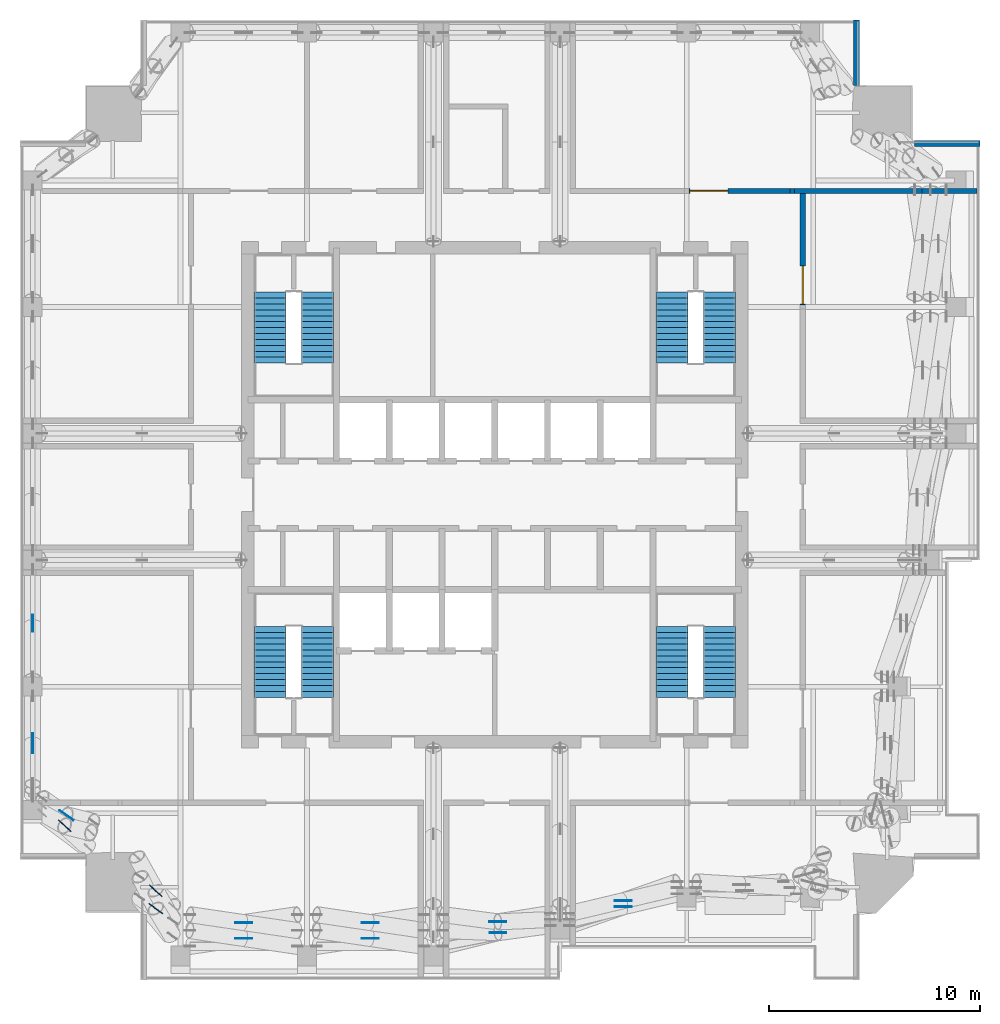
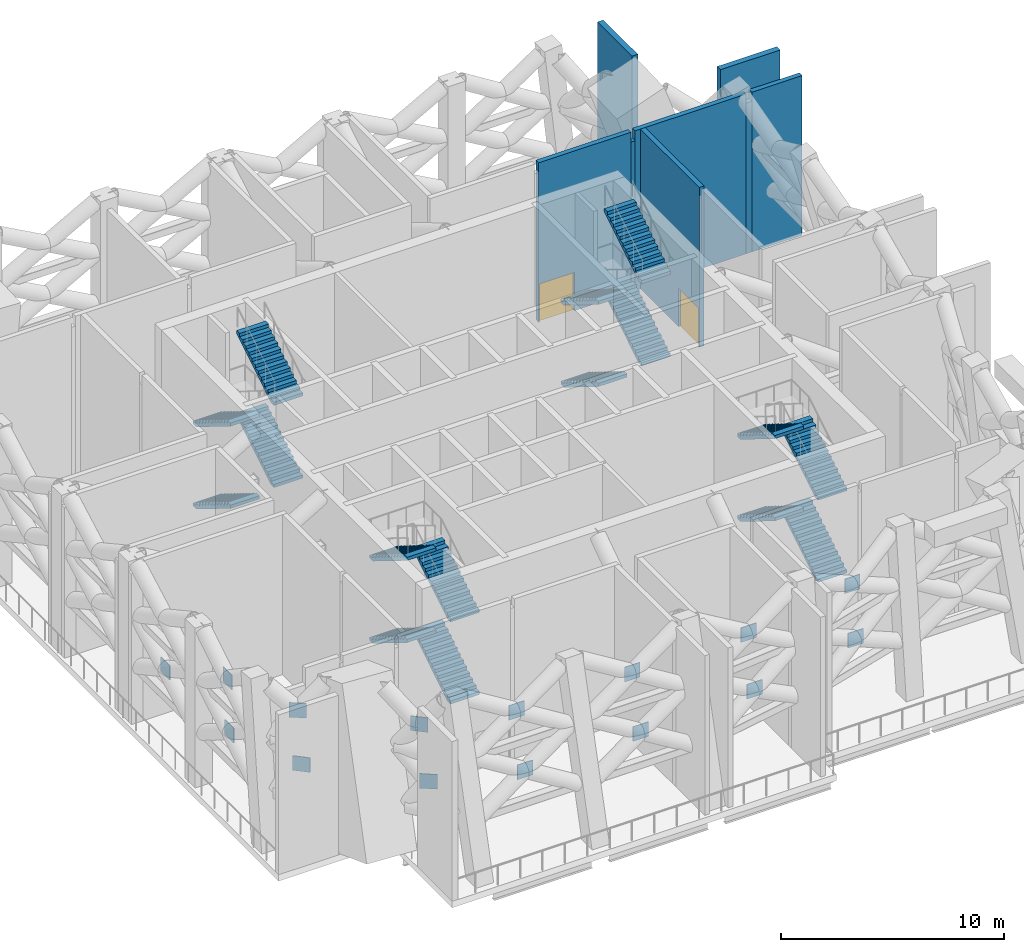
# One storey, part 10 of 18: 16 stair flights, 15 discrete accessories, 8 walls, 2 doors, 2 openings, 4 elements without a shape of their own.
"""IFC4 building model written with IfcOpenShell, lengths in metres."""

from ifc_helpers import new_model, si_unit, direction, frame, frame_2d, origin, origin_2d, place, context, subcontext, project, spatial, polyline, rectangle, outline, extrude, material, layer, layer_set, type_object, element, fill, aggregate, save


model = new_model("IFC4")

# Units and contexts
model_context = context("Model", 3, precision=1e-05, world=origin(), true_north=direction((0.0, 1.0)))
body_context = subcontext(model_context, "Body", "Model", "MODEL_VIEW")
ifc_project = project(units=[si_unit("LENGTHUNIT", "METRE"), si_unit("AREAUNIT", "SQUARE_METRE"), si_unit("VOLUMEUNIT", "CUBIC_METRE"), si_unit("PLANEANGLEUNIT", "RADIAN"), si_unit("MASSUNIT", "GRAM", prefix="KILO")], contexts=[model_context])

# Site, building, storey
site_placement = place(None, origin())
site = spatial("IfcSite", under=ifc_project, at=site_placement, CompositionType="ELEMENT")
building_placement = place(site_placement, origin())
building = spatial("IfcBuilding", under=site, at=building_placement, Name="Amberfall Residences", CompositionType="ELEMENT")
storey_placement = place(building_placement, frame((0.0, 0.0, 229.89990234375)))
storey = spatial("IfcBuildingStorey", under=building, at=storey_placement, Name="L62", CompositionType="ELEMENT", Elevation=229.89990234375)

# Wall, opening, door
ifc_material_1 = material(Name="Reinforced concrete C40", Category="concrete")
ifc_layer_1 = layer(ifc_material_1, 0.25)
ifc_layer_set_1 = layer_set([ifc_layer_1], Name="Compartment wall 250")
wall_type_1 = type_object("IfcWallType", Name="Compartment wall 250", PredefinedType="SOLIDWALL", material=ifc_layer_set_1)
wall_1_placement = place(storey_placement, frame((83.70458984375, 59.89990234375, 0.0), z_axis=(0.0, 0.0, 1.0), x_axis=(1.0, 0.0, 0.0)))
wall_1 = element("IfcWall", 1, at=wall_1_placement, inside=storey, type_object=wall_type_1, Name="Compartment wall 250 L62 045", PredefinedType="SOLIDWALL", context=body_context, shape_type="SweptSolid", body=[
    extrude(rectangle(XDim=4.7900390625, YDim=0.25, at=frame_2d((2.39501953125, 0.0))), origin(), (0.0, 0.0, 1.0), 8.75),
])
opening_1_placement = place(wall_1_placement, frame((0.04541015625, 0.0, 0.0)))
opening_1 = element("IfcOpeningElement", 2, at=opening_1_placement, cuts=wall_1, Name="Opening D13", PredefinedType="OPENING", context=body_context, shape_type="SweptSolid", body=[
    extrude(rectangle(XDim=1.800048828125, YDim=2.10009765625, at=frame_2d((0.89990234375, 1.050048828125))), frame((0.0, 0.135009765625, 0.0), z_axis=(0.0, -1.0, 0.0), x_axis=(1.0, 0.0, 0.0)), (0.0, 0.0, 1.0), 0.27001953125),
])
ifc_material_2 = material(Name="Steel fire door leaf", Category="steel")
door_type = type_object("IfcDoorType", Name="Double fire door 1800x2100 FD60", OperationType="DOUBLE_DOOR_SINGLE_SWING", PredefinedType="DOOR", material=ifc_material_2)
door_1_placement = place(opening_1_placement, origin())
door_1 = element("IfcDoor", 3, at=door_1_placement, inside=storey, type_object=door_type, Name="Door Refuge area 7", OperationType="DOUBLE_DOOR_SINGLE_SWING", OverallHeight=2.10009765625, OverallWidth=1.800048828125, PredefinedType="DOOR", context=body_context, shape_type="SweptSolid", body=[
    extrude(rectangle(XDim=1.800048828125, YDim=2.10009765625, at=frame_2d((0.89990234375, 1.050048828125))), frame((0.0, 0.02490234375, 0.0), z_axis=(0.0, -1.0, 0.0), x_axis=(1.0, 0.0, 0.0)), (0.0, 0.0, 1.0), 0.050048828125),
])
fill(opening_1, door_1)

# Walls
wall_2_placement = place(storey_placement, frame((88.49462890625, 59.89990234375, 0.0), z_axis=(0.0, 0.0, 1.0), x_axis=(1.0, 0.0, 0.0)))
element("IfcWall", 4, at=wall_2_placement, inside=storey, type_object=wall_type_1, Name="Compartment wall 250 L62 046", PredefinedType="SOLIDWALL", context=body_context, shape_type="SweptSolid", body=[
    extrude(rectangle(XDim=0.210693359375, YDim=0.25, at=frame_2d((0.10546875, 0.0))), origin(), (0.0, 0.0, 1.0), 8.211181640625),
])
wall_3_placement = place(storey_placement, frame((88.705322265625, 59.89990234375, 0.0), z_axis=(0.0, 0.0, 1.0), x_axis=(1.0, 0.0, 0.0)))
element("IfcWall", 5, at=wall_3_placement, inside=storey, type_object=wall_type_1, Name="Compartment wall 250 L62 047", PredefinedType="SOLIDWALL", context=body_context, shape_type="SweptSolid", body=[
    extrude(rectangle(XDim=5.74462890625, YDim=0.25, at=frame_2d((2.872314453125, 0.0))), origin(), (0.0, 0.0, 1.0), 8.75),
])
wall_4_placement = place(storey_placement, frame((94.449951171875, 59.89990234375, 0.0), z_axis=(0.0, 0.0, 1.0), x_axis=(1.0, 0.0, 0.0)))
element("IfcWall", 6, at=wall_4_placement, inside=storey, type_object=wall_type_1, Name="Compartment wall 250 L62 048", PredefinedType="SOLIDWALL", context=body_context, shape_type="SweptSolid", body=[
    extrude(rectangle(XDim=0.300048828125, YDim=0.25, at=frame_2d((0.14990234375, 0.0))), origin(), (0.0, 0.0, 1.0), 8.25),
])
wall_5_placement = place(storey_placement, frame((94.75, 59.89990234375, 0.0), z_axis=(0.0, 0.0, 1.0), x_axis=(1.0, 0.0, 0.0)))
element("IfcWall", 7, at=wall_5_placement, inside=storey, type_object=wall_type_1, Name="Compartment wall 250 L62 049", PredefinedType="SOLIDWALL", context=body_context, shape_type="SweptSolid", body=[
    extrude(rectangle(XDim=2.60009765625, YDim=0.25, at=frame_2d((1.300048828125, 0.0))), origin(), (0.0, 0.0, 1.0), 8.75),
])

# Wall, opening, door
wall_6_placement = place(storey_placement, frame((89.10009765625, 54.49560546875, 0.0), z_axis=(0.0, 0.0, 1.0), x_axis=(0.0, 1.0, 0.0)))
wall_6 = element("IfcWall", 8, at=wall_6_placement, inside=storey, type_object=wall_type_1, Name="Compartment wall 250 L62 087", PredefinedType="SOLIDWALL", context=body_context, shape_type="SweptSolid", body=[
    extrude(rectangle(XDim=5.279296875, YDim=0.25, at=frame_2d((2.6396484375, 0.0))), origin(), (0.0, 0.0, 1.0), 8.75),
])
opening_2_placement = place(wall_6_placement, frame((0.054443359375, 0.0, 0.0)))
opening_2 = element("IfcOpeningElement", 9, at=opening_2_placement, cuts=wall_6, Name="Opening D13", PredefinedType="OPENING", context=body_context, shape_type="SweptSolid", body=[
    extrude(rectangle(XDim=1.800048828125, YDim=2.10009765625, at=frame_2d((0.89990234375, 1.050048828125))), frame((0.0, 0.135009765625, 0.0), z_axis=(0.0, -1.0, 0.0), x_axis=(1.0, 0.0, 0.0)), (0.0, 0.0, 1.0), 0.27001953125),
])
door_2_placement = place(opening_2_placement, origin())
door_2 = element("IfcDoor", 10, at=door_2_placement, inside=storey, type_object=door_type, Name="Door Refuge area 13", OperationType="DOUBLE_DOOR_SINGLE_SWING", OverallHeight=2.10009765625, OverallWidth=1.800048828125, PredefinedType="DOOR", context=body_context, shape_type="SweptSolid", body=[
    extrude(rectangle(XDim=1.800048828125, YDim=2.10009765625, at=frame_2d((0.89990234375, 1.050048828125))), frame((0.0, 0.02490234375, 0.0), z_axis=(0.0, -1.0, 0.0), x_axis=(1.0, 0.0, 0.0)), (0.0, 0.0, 1.0), 0.050048828125),
])
fill(opening_2, door_2)

# Walls
ifc_material_3 = material(Name="Bronze aluminium louvre cladding on insulated backing", Category="aluminium")
ifc_layer_2 = layer(ifc_material_3, 0.300048828125)
ifc_layer_set_2 = layer_set([ifc_layer_2], Name="Louvre clad wall 300")
wall_type_2 = type_object("IfcWallType", Name="Louvre clad wall 300", PredefinedType="SOLIDWALL", material=ifc_layer_set_2)
for number, where, z_axis, x_axis, name in (
    (11, (97.5, 62.14990234375, 0.0), (0.0, 0.0, 1.0), (-1.0, 0.0, 0.0), "External wall L62 NE"),
    (12, (91.64990234375, 64.89990234375, 0.0), (0.0, 0.0, 1.0), (0.0, 1.0, 0.0), "External wall L62 NE"),
):
    element("IfcWall", number, at=place(storey_placement, frame(where, z_axis=z_axis, x_axis=x_axis)), inside=storey, type_object=wall_type_2, Name=name, PredefinedType="SOLIDWALL", context=body_context, shape_type="SweptSolid", body=[
        extrude(rectangle(XDim=3.10009765625, YDim=0.300048828125, at=frame_2d((1.550048828125, 0.0))), origin(), (0.0, 0.0, 1.0), 8.75),
    ])

# Stair, stair flights
ifc_material_4 = material(Name="Concrete C40", Category="concrete")
stair_type = type_object("IfcStairType", Name="Exit stair 52 risers 173.1 mm", PredefinedType="HALF_TURN_STAIR", material=ifc_material_4)
stair_1_placement = place(storey_placement, origin())
stair_1 = element("IfcStair", 13, at=stair_1_placement, inside=storey, type_object=stair_type, Name="L62 Exit stair 1", PredefinedType="HALF_TURN_STAIR")
stair_flight_type = type_object("IfcStairFlightType", Name="Stair flight 13 risers 173.1 mm", PredefinedType="STRAIGHT", material=ifc_material_4)
stair_flight_1_placement = place(storey_placement, frame((66.10009765625, 35.89990234375, 0.0), z_axis=(0.0, 0.0, 1.0), x_axis=(0.0, 1.0, 0.0)))
stair_flight_1 = element("IfcStairFlight", 14, at=stair_flight_1_placement, type_object=stair_flight_type, Name="ST4 flight 1", NumberOfRisers=13, NumberOfTreads=12, PredefinedType="STRAIGHT", RiserHeight=0.173076923, TreadLength=0.28, context=body_context, shape_type="SweptSolid", body=[
    extrude(outline(polyline([(0.0, 0.0), (0.0, 0.173095703125), (0.280029296875, 0.173095703125), (0.280029296875, 0.34619140625), (0.56005859375, 0.34619140625), (0.56005859375, 0.519287109375), (0.840087890625, 0.519287109375), (0.840087890625, 0.6923828125), (1.1201171875, 0.6923828125), (1.1201171875, 0.865478515625), (1.39990234375, 0.865478515625), (1.39990234375, 1.03857421875), (1.679931640625, 1.03857421875), (1.679931640625, 1.21142578125), (1.9599609375, 1.21142578125), (1.9599609375, 1.384521484375), (2.239990234375, 1.384521484375), (2.239990234375, 1.5576171875), (2.52001953125, 1.5576171875), (2.52001953125, 1.730712890625), (2.800048828125, 1.730712890625), (2.800048828125, 1.90380859375), (3.080078125, 1.90380859375), (3.080078125, 2.076904296875), (3.360107421875, 2.076904296875), (3.360107421875, 2.25), (3.360107421875, 1.900634765625), (0.28515625, 0.0), (0.0, 0.0)])), frame((0.0, 0.75, 0.0), z_axis=(0.0, -1.0, 0.0), x_axis=(1.0, 0.0, 0.0)), (0.0, 0.0, 1.0), 1.5),
])
stair_flight_2_placement = place(storey_placement, frame((63.85009765625, 39.260009765625, 2.25), z_axis=(0.0, 0.0, 1.0), x_axis=(0.0, -1.0, 0.0)))
stair_flight_2 = element("IfcStairFlight", 15, at=stair_flight_2_placement, type_object=stair_flight_type, Name="ST4 flight 2", NumberOfRisers=13, NumberOfTreads=12, PredefinedType="STRAIGHT", RiserHeight=0.173076923, TreadLength=0.28, context=body_context, shape_type="SweptSolid", body=[
    extrude(outline(polyline([(0.0, 0.0), (0.0, 0.173095703125), (0.280029296875, 0.173095703125), (0.280029296875, 0.34619140625), (0.56005859375, 0.34619140625), (0.56005859375, 0.519287109375), (0.840087890625, 0.519287109375), (0.840087890625, 0.6923828125), (1.1201171875, 0.6923828125), (1.1201171875, 0.865478515625), (1.39990234375, 0.865478515625), (1.39990234375, 1.03857421875), (1.679931640625, 1.03857421875), (1.679931640625, 1.21142578125), (1.9599609375, 1.21142578125), (1.9599609375, 1.384521484375), (2.239990234375, 1.384521484375), (2.239990234375, 1.5576171875), (2.52001953125, 1.5576171875), (2.52001953125, 1.730712890625), (2.800048828125, 1.730712890625), (2.800048828125, 1.90380859375), (3.080078125, 1.90380859375), (3.080078125, 2.076904296875), (3.360107421875, 2.076904296875), (3.360107421875, 2.25), (3.360107421875, 1.900634765625), (0.28515625, 0.0), (0.0, 0.0)])), frame((0.0, 0.75, 0.0), z_axis=(0.0, -1.0, 0.0), x_axis=(1.0, 0.0, 0.0)), (0.0, 0.0, 1.0), 1.5),
])
stair_flight_3_placement = place(storey_placement, frame((66.10009765625, 35.89990234375, 4.5), z_axis=(0.0, 0.0, 1.0), x_axis=(0.0, 1.0, 0.0)))
stair_flight_3 = element("IfcStairFlight", 16, at=stair_flight_3_placement, type_object=stair_flight_type, Name="ST4 flight 3", NumberOfRisers=13, NumberOfTreads=12, PredefinedType="STRAIGHT", RiserHeight=0.173076923, TreadLength=0.28, context=body_context, shape_type="SweptSolid", body=[
    extrude(outline(polyline([(0.0, 0.0), (0.0, 0.173095703125), (0.280029296875, 0.173095703125), (0.280029296875, 0.34619140625), (0.56005859375, 0.34619140625), (0.56005859375, 0.519287109375), (0.840087890625, 0.519287109375), (0.840087890625, 0.6923828125), (1.1201171875, 0.6923828125), (1.1201171875, 0.865478515625), (1.39990234375, 0.865478515625), (1.39990234375, 1.03857421875), (1.679931640625, 1.03857421875), (1.679931640625, 1.21142578125), (1.9599609375, 1.21142578125), (1.9599609375, 1.384521484375), (2.239990234375, 1.384521484375), (2.239990234375, 1.5576171875), (2.52001953125, 1.5576171875), (2.52001953125, 1.730712890625), (2.800048828125, 1.730712890625), (2.800048828125, 1.90380859375), (3.080078125, 1.90380859375), (3.080078125, 2.076904296875), (3.360107421875, 2.076904296875), (3.360107421875, 2.25), (3.360107421875, 1.900634765625), (0.28515625, 0.0), (0.0, 0.0)])), frame((0.0, 0.75, 0.0), z_axis=(0.0, -1.0, 0.0), x_axis=(1.0, 0.0, 0.0)), (0.0, 0.0, 1.0), 1.5),
])
stair_flight_4_placement = place(storey_placement, frame((63.85009765625, 39.260009765625, 6.75), z_axis=(0.0, 0.0, 1.0), x_axis=(0.0, -1.0, 0.0)))
stair_flight_4 = element("IfcStairFlight", 17, at=stair_flight_4_placement, type_object=stair_flight_type, Name="ST4 flight 4", NumberOfRisers=13, NumberOfTreads=12, PredefinedType="STRAIGHT", RiserHeight=0.173076923, TreadLength=0.28, context=body_context, shape_type="SweptSolid", body=[
    extrude(outline(polyline([(0.0, 0.0), (0.0, 0.173095703125), (0.280029296875, 0.173095703125), (0.280029296875, 0.34619140625), (0.56005859375, 0.34619140625), (0.56005859375, 0.519287109375), (0.840087890625, 0.519287109375), (0.840087890625, 0.6923828125), (1.1201171875, 0.6923828125), (1.1201171875, 0.865478515625), (1.39990234375, 0.865478515625), (1.39990234375, 1.03857421875), (1.679931640625, 1.03857421875), (1.679931640625, 1.21142578125), (1.9599609375, 1.21142578125), (1.9599609375, 1.384521484375), (2.239990234375, 1.384521484375), (2.239990234375, 1.5576171875), (2.52001953125, 1.5576171875), (2.52001953125, 1.730712890625), (2.800048828125, 1.730712890625), (2.800048828125, 1.90380859375), (3.080078125, 1.90380859375), (3.080078125, 2.076904296875), (3.360107421875, 2.076904296875), (3.360107421875, 2.25), (3.360107421875, 1.900634765625), (0.28515625, 0.0), (0.0, 0.0)])), frame((0.0, 0.75, 0.0), z_axis=(0.0, -1.0, 0.0), x_axis=(1.0, 0.0, 0.0)), (0.0, 0.0, 1.0), 1.5),
])
aggregate(stair_1, [stair_flight_1, stair_flight_2, stair_flight_3, stair_flight_4])

stair_2_placement = place(storey_placement, origin())
stair_2 = element("IfcStair", 18, at=stair_2_placement, inside=storey, type_object=stair_type, Name="L62 Exit stair 2", PredefinedType="HALF_TURN_STAIR")
stair_flight_5_placement = place(storey_placement, frame((85.14990234375, 35.89990234375, 0.0), z_axis=(0.0, 0.0, 1.0), x_axis=(0.0, 1.0, 0.0)))
stair_flight_5 = element("IfcStairFlight", 19, at=stair_flight_5_placement, type_object=stair_flight_type, Name="ST4 flight 1", NumberOfRisers=13, NumberOfTreads=12, PredefinedType="STRAIGHT", RiserHeight=0.173076923, TreadLength=0.28, context=body_context, shape_type="SweptSolid", body=[
    extrude(outline(polyline([(0.0, 0.0), (0.0, 0.173095703125), (0.280029296875, 0.173095703125), (0.280029296875, 0.34619140625), (0.56005859375, 0.34619140625), (0.56005859375, 0.519287109375), (0.840087890625, 0.519287109375), (0.840087890625, 0.6923828125), (1.1201171875, 0.6923828125), (1.1201171875, 0.865478515625), (1.39990234375, 0.865478515625), (1.39990234375, 1.03857421875), (1.679931640625, 1.03857421875), (1.679931640625, 1.21142578125), (1.9599609375, 1.21142578125), (1.9599609375, 1.384521484375), (2.239990234375, 1.384521484375), (2.239990234375, 1.5576171875), (2.52001953125, 1.5576171875), (2.52001953125, 1.730712890625), (2.800048828125, 1.730712890625), (2.800048828125, 1.90380859375), (3.080078125, 1.90380859375), (3.080078125, 2.076904296875), (3.360107421875, 2.076904296875), (3.360107421875, 2.25), (3.360107421875, 1.900634765625), (0.28515625, 0.0), (0.0, 0.0)])), frame((0.0, 0.75, 0.0), z_axis=(0.0, -1.0, 0.0), x_axis=(1.0, 0.0, 0.0)), (0.0, 0.0, 1.0), 1.5),
])
stair_flight_6_placement = place(storey_placement, frame((82.89990234375, 39.260009765625, 2.25), z_axis=(0.0, 0.0, 1.0), x_axis=(0.0, -1.0, 0.0)))
stair_flight_6 = element("IfcStairFlight", 20, at=stair_flight_6_placement, type_object=stair_flight_type, Name="ST4 flight 2", NumberOfRisers=13, NumberOfTreads=12, PredefinedType="STRAIGHT", RiserHeight=0.173076923, TreadLength=0.28, context=body_context, shape_type="SweptSolid", body=[
    extrude(outline(polyline([(0.0, 0.0), (0.0, 0.173095703125), (0.280029296875, 0.173095703125), (0.280029296875, 0.34619140625), (0.56005859375, 0.34619140625), (0.56005859375, 0.519287109375), (0.840087890625, 0.519287109375), (0.840087890625, 0.6923828125), (1.1201171875, 0.6923828125), (1.1201171875, 0.865478515625), (1.39990234375, 0.865478515625), (1.39990234375, 1.03857421875), (1.679931640625, 1.03857421875), (1.679931640625, 1.21142578125), (1.9599609375, 1.21142578125), (1.9599609375, 1.384521484375), (2.239990234375, 1.384521484375), (2.239990234375, 1.5576171875), (2.52001953125, 1.5576171875), (2.52001953125, 1.730712890625), (2.800048828125, 1.730712890625), (2.800048828125, 1.90380859375), (3.080078125, 1.90380859375), (3.080078125, 2.076904296875), (3.360107421875, 2.076904296875), (3.360107421875, 2.25), (3.360107421875, 1.900634765625), (0.28515625, 0.0), (0.0, 0.0)])), frame((0.0, 0.75, 0.0), z_axis=(0.0, -1.0, 0.0), x_axis=(1.0, 0.0, 0.0)), (0.0, 0.0, 1.0), 1.5),
])
stair_flight_7_placement = place(storey_placement, frame((85.14990234375, 35.89990234375, 4.5), z_axis=(0.0, 0.0, 1.0), x_axis=(0.0, 1.0, 0.0)))
stair_flight_7 = element("IfcStairFlight", 21, at=stair_flight_7_placement, type_object=stair_flight_type, Name="ST4 flight 3", NumberOfRisers=13, NumberOfTreads=12, PredefinedType="STRAIGHT", RiserHeight=0.173076923, TreadLength=0.28, context=body_context, shape_type="SweptSolid", body=[
    extrude(outline(polyline([(0.0, 0.0), (0.0, 0.173095703125), (0.280029296875, 0.173095703125), (0.280029296875, 0.34619140625), (0.56005859375, 0.34619140625), (0.56005859375, 0.519287109375), (0.840087890625, 0.519287109375), (0.840087890625, 0.6923828125), (1.1201171875, 0.6923828125), (1.1201171875, 0.865478515625), (1.39990234375, 0.865478515625), (1.39990234375, 1.03857421875), (1.679931640625, 1.03857421875), (1.679931640625, 1.21142578125), (1.9599609375, 1.21142578125), (1.9599609375, 1.384521484375), (2.239990234375, 1.384521484375), (2.239990234375, 1.5576171875), (2.52001953125, 1.5576171875), (2.52001953125, 1.730712890625), (2.800048828125, 1.730712890625), (2.800048828125, 1.90380859375), (3.080078125, 1.90380859375), (3.080078125, 2.076904296875), (3.360107421875, 2.076904296875), (3.360107421875, 2.25), (3.360107421875, 1.900634765625), (0.28515625, 0.0), (0.0, 0.0)])), frame((0.0, 0.75, 0.0), z_axis=(0.0, -1.0, 0.0), x_axis=(1.0, 0.0, 0.0)), (0.0, 0.0, 1.0), 1.5),
])
stair_flight_8_placement = place(storey_placement, frame((82.89990234375, 39.260009765625, 6.75), z_axis=(0.0, 0.0, 1.0), x_axis=(0.0, -1.0, 0.0)))
stair_flight_8 = element("IfcStairFlight", 22, at=stair_flight_8_placement, type_object=stair_flight_type, Name="ST4 flight 4", NumberOfRisers=13, NumberOfTreads=12, PredefinedType="STRAIGHT", RiserHeight=0.173076923, TreadLength=0.28, context=body_context, shape_type="SweptSolid", body=[
    extrude(outline(polyline([(0.0, 0.0), (0.0, 0.173095703125), (0.280029296875, 0.173095703125), (0.280029296875, 0.34619140625), (0.56005859375, 0.34619140625), (0.56005859375, 0.519287109375), (0.840087890625, 0.519287109375), (0.840087890625, 0.6923828125), (1.1201171875, 0.6923828125), (1.1201171875, 0.865478515625), (1.39990234375, 0.865478515625), (1.39990234375, 1.03857421875), (1.679931640625, 1.03857421875), (1.679931640625, 1.21142578125), (1.9599609375, 1.21142578125), (1.9599609375, 1.384521484375), (2.239990234375, 1.384521484375), (2.239990234375, 1.5576171875), (2.52001953125, 1.5576171875), (2.52001953125, 1.730712890625), (2.800048828125, 1.730712890625), (2.800048828125, 1.90380859375), (3.080078125, 1.90380859375), (3.080078125, 2.076904296875), (3.360107421875, 2.076904296875), (3.360107421875, 2.25), (3.360107421875, 1.900634765625), (0.28515625, 0.0), (0.0, 0.0)])), frame((0.0, 0.75, 0.0), z_axis=(0.0, -1.0, 0.0), x_axis=(1.0, 0.0, 0.0)), (0.0, 0.0, 1.0), 1.5),
])
aggregate(stair_2, [stair_flight_5, stair_flight_6, stair_flight_7, stair_flight_8])

stair_3_placement = place(storey_placement, origin())
stair_3 = element("IfcStair", 23, at=stair_3_placement, inside=storey, type_object=stair_type, Name="L62 Exit stair 3", PredefinedType="HALF_TURN_STAIR")
stair_flight_9_placement = place(storey_placement, frame((82.89990234375, 55.10009765625, 0.0), z_axis=(0.0, 0.0, 1.0), x_axis=(0.0, -1.0, 0.0)))
stair_flight_9 = element("IfcStairFlight", 24, at=stair_flight_9_placement, type_object=stair_flight_type, Name="ST4 flight 1", NumberOfRisers=13, NumberOfTreads=12, PredefinedType="STRAIGHT", RiserHeight=0.173076923, TreadLength=0.28, context=body_context, shape_type="SweptSolid", body=[
    extrude(outline(polyline([(0.0, 0.0), (0.0, 0.173095703125), (0.280029296875, 0.173095703125), (0.280029296875, 0.34619140625), (0.56005859375, 0.34619140625), (0.56005859375, 0.519287109375), (0.840087890625, 0.519287109375), (0.840087890625, 0.6923828125), (1.1201171875, 0.6923828125), (1.1201171875, 0.865478515625), (1.39990234375, 0.865478515625), (1.39990234375, 1.03857421875), (1.679931640625, 1.03857421875), (1.679931640625, 1.21142578125), (1.9599609375, 1.21142578125), (1.9599609375, 1.384521484375), (2.239990234375, 1.384521484375), (2.239990234375, 1.5576171875), (2.52001953125, 1.5576171875), (2.52001953125, 1.730712890625), (2.800048828125, 1.730712890625), (2.800048828125, 1.90380859375), (3.080078125, 1.90380859375), (3.080078125, 2.076904296875), (3.360107421875, 2.076904296875), (3.360107421875, 2.25), (3.360107421875, 1.900634765625), (0.28515625, 0.0), (0.0, 0.0)])), frame((0.0, 0.75, 0.0), z_axis=(0.0, -1.0, 0.0), x_axis=(1.0, 0.0, 0.0)), (0.0, 0.0, 1.0), 1.5),
])
stair_flight_10_placement = place(storey_placement, frame((85.14990234375, 51.739990234375, 2.25), z_axis=(0.0, 0.0, 1.0), x_axis=(0.0, 1.0, 0.0)))
stair_flight_10 = element("IfcStairFlight", 25, at=stair_flight_10_placement, type_object=stair_flight_type, Name="ST4 flight 2", NumberOfRisers=13, NumberOfTreads=12, PredefinedType="STRAIGHT", RiserHeight=0.173076923, TreadLength=0.28, context=body_context, shape_type="SweptSolid", body=[
    extrude(outline(polyline([(0.0, 0.0), (0.0, 0.173095703125), (0.280029296875, 0.173095703125), (0.280029296875, 0.34619140625), (0.56005859375, 0.34619140625), (0.56005859375, 0.519287109375), (0.840087890625, 0.519287109375), (0.840087890625, 0.6923828125), (1.1201171875, 0.6923828125), (1.1201171875, 0.865478515625), (1.39990234375, 0.865478515625), (1.39990234375, 1.03857421875), (1.679931640625, 1.03857421875), (1.679931640625, 1.21142578125), (1.9599609375, 1.21142578125), (1.9599609375, 1.384521484375), (2.239990234375, 1.384521484375), (2.239990234375, 1.5576171875), (2.52001953125, 1.5576171875), (2.52001953125, 1.730712890625), (2.800048828125, 1.730712890625), (2.800048828125, 1.90380859375), (3.080078125, 1.90380859375), (3.080078125, 2.076904296875), (3.360107421875, 2.076904296875), (3.360107421875, 2.25), (3.360107421875, 1.900634765625), (0.28515625, 0.0), (0.0, 0.0)])), frame((0.0, 0.75, 0.0), z_axis=(0.0, -1.0, 0.0), x_axis=(1.0, 0.0, 0.0)), (0.0, 0.0, 1.0), 1.5),
])
stair_flight_11_placement = place(storey_placement, frame((82.89990234375, 55.10009765625, 4.5), z_axis=(0.0, 0.0, 1.0), x_axis=(0.0, -1.0, 0.0)))
stair_flight_11 = element("IfcStairFlight", 26, at=stair_flight_11_placement, type_object=stair_flight_type, Name="ST4 flight 3", NumberOfRisers=13, NumberOfTreads=12, PredefinedType="STRAIGHT", RiserHeight=0.173076923, TreadLength=0.28, context=body_context, shape_type="SweptSolid", body=[
    extrude(outline(polyline([(0.0, 0.0), (0.0, 0.173095703125), (0.280029296875, 0.173095703125), (0.280029296875, 0.34619140625), (0.56005859375, 0.34619140625), (0.56005859375, 0.519287109375), (0.840087890625, 0.519287109375), (0.840087890625, 0.6923828125), (1.1201171875, 0.6923828125), (1.1201171875, 0.865478515625), (1.39990234375, 0.865478515625), (1.39990234375, 1.03857421875), (1.679931640625, 1.03857421875), (1.679931640625, 1.21142578125), (1.9599609375, 1.21142578125), (1.9599609375, 1.384521484375), (2.239990234375, 1.384521484375), (2.239990234375, 1.5576171875), (2.52001953125, 1.5576171875), (2.52001953125, 1.730712890625), (2.800048828125, 1.730712890625), (2.800048828125, 1.90380859375), (3.080078125, 1.90380859375), (3.080078125, 2.076904296875), (3.360107421875, 2.076904296875), (3.360107421875, 2.25), (3.360107421875, 1.900634765625), (0.28515625, 0.0), (0.0, 0.0)])), frame((0.0, 0.75, 0.0), z_axis=(0.0, -1.0, 0.0), x_axis=(1.0, 0.0, 0.0)), (0.0, 0.0, 1.0), 1.5),
])
stair_flight_12_placement = place(storey_placement, frame((85.14990234375, 51.739990234375, 6.75), z_axis=(0.0, 0.0, 1.0), x_axis=(0.0, 1.0, 0.0)))
stair_flight_12 = element("IfcStairFlight", 27, at=stair_flight_12_placement, type_object=stair_flight_type, Name="ST4 flight 4", NumberOfRisers=13, NumberOfTreads=12, PredefinedType="STRAIGHT", RiserHeight=0.173076923, TreadLength=0.28, context=body_context, shape_type="SweptSolid", body=[
    extrude(outline(polyline([(0.0, 0.0), (0.0, 0.173095703125), (0.280029296875, 0.173095703125), (0.280029296875, 0.34619140625), (0.56005859375, 0.34619140625), (0.56005859375, 0.519287109375), (0.840087890625, 0.519287109375), (0.840087890625, 0.6923828125), (1.1201171875, 0.6923828125), (1.1201171875, 0.865478515625), (1.39990234375, 0.865478515625), (1.39990234375, 1.03857421875), (1.679931640625, 1.03857421875), (1.679931640625, 1.21142578125), (1.9599609375, 1.21142578125), (1.9599609375, 1.384521484375), (2.239990234375, 1.384521484375), (2.239990234375, 1.5576171875), (2.52001953125, 1.5576171875), (2.52001953125, 1.730712890625), (2.800048828125, 1.730712890625), (2.800048828125, 1.90380859375), (3.080078125, 1.90380859375), (3.080078125, 2.076904296875), (3.360107421875, 2.076904296875), (3.360107421875, 2.25), (3.360107421875, 1.900634765625), (0.28515625, 0.0), (0.0, 0.0)])), frame((0.0, 0.75, 0.0), z_axis=(0.0, -1.0, 0.0), x_axis=(1.0, 0.0, 0.0)), (0.0, 0.0, 1.0), 1.5),
])
aggregate(stair_3, [stair_flight_9, stair_flight_10, stair_flight_11, stair_flight_12])

stair_4_placement = place(storey_placement, origin())
stair_4 = element("IfcStair", 28, at=stair_4_placement, inside=storey, type_object=stair_type, Name="L62 Exit stair 4", PredefinedType="HALF_TURN_STAIR")
stair_flight_13_placement = place(storey_placement, frame((63.85009765625, 55.10009765625, 0.0), z_axis=(0.0, 0.0, 1.0), x_axis=(0.0, -1.0, 0.0)))
stair_flight_13 = element("IfcStairFlight", 29, at=stair_flight_13_placement, type_object=stair_flight_type, Name="ST4 flight 1", NumberOfRisers=13, NumberOfTreads=12, PredefinedType="STRAIGHT", RiserHeight=0.173076923, TreadLength=0.28, context=body_context, shape_type="SweptSolid", body=[
    extrude(outline(polyline([(0.0, 0.0), (0.0, 0.173095703125), (0.280029296875, 0.173095703125), (0.280029296875, 0.34619140625), (0.56005859375, 0.34619140625), (0.56005859375, 0.519287109375), (0.840087890625, 0.519287109375), (0.840087890625, 0.6923828125), (1.1201171875, 0.6923828125), (1.1201171875, 0.865478515625), (1.39990234375, 0.865478515625), (1.39990234375, 1.03857421875), (1.679931640625, 1.03857421875), (1.679931640625, 1.21142578125), (1.9599609375, 1.21142578125), (1.9599609375, 1.384521484375), (2.239990234375, 1.384521484375), (2.239990234375, 1.5576171875), (2.52001953125, 1.5576171875), (2.52001953125, 1.730712890625), (2.800048828125, 1.730712890625), (2.800048828125, 1.90380859375), (3.080078125, 1.90380859375), (3.080078125, 2.076904296875), (3.360107421875, 2.076904296875), (3.360107421875, 2.25), (3.360107421875, 1.900634765625), (0.28515625, 0.0), (0.0, 0.0)])), frame((0.0, 0.75, 0.0), z_axis=(0.0, -1.0, 0.0), x_axis=(1.0, 0.0, 0.0)), (0.0, 0.0, 1.0), 1.5),
])
stair_flight_14_placement = place(storey_placement, frame((66.10009765625, 51.739990234375, 2.25), z_axis=(0.0, 0.0, 1.0), x_axis=(0.0, 1.0, 0.0)))
stair_flight_14 = element("IfcStairFlight", 30, at=stair_flight_14_placement, type_object=stair_flight_type, Name="ST4 flight 2", NumberOfRisers=13, NumberOfTreads=12, PredefinedType="STRAIGHT", RiserHeight=0.173076923, TreadLength=0.28, context=body_context, shape_type="SweptSolid", body=[
    extrude(outline(polyline([(0.0, 0.0), (0.0, 0.173095703125), (0.280029296875, 0.173095703125), (0.280029296875, 0.34619140625), (0.56005859375, 0.34619140625), (0.56005859375, 0.519287109375), (0.840087890625, 0.519287109375), (0.840087890625, 0.6923828125), (1.1201171875, 0.6923828125), (1.1201171875, 0.865478515625), (1.39990234375, 0.865478515625), (1.39990234375, 1.03857421875), (1.679931640625, 1.03857421875), (1.679931640625, 1.21142578125), (1.9599609375, 1.21142578125), (1.9599609375, 1.384521484375), (2.239990234375, 1.384521484375), (2.239990234375, 1.5576171875), (2.52001953125, 1.5576171875), (2.52001953125, 1.730712890625), (2.800048828125, 1.730712890625), (2.800048828125, 1.90380859375), (3.080078125, 1.90380859375), (3.080078125, 2.076904296875), (3.360107421875, 2.076904296875), (3.360107421875, 2.25), (3.360107421875, 1.900634765625), (0.28515625, 0.0), (0.0, 0.0)])), frame((0.0, 0.75, 0.0), z_axis=(0.0, -1.0, 0.0), x_axis=(1.0, 0.0, 0.0)), (0.0, 0.0, 1.0), 1.5),
])
stair_flight_15_placement = place(storey_placement, frame((63.85009765625, 55.10009765625, 4.5), z_axis=(0.0, 0.0, 1.0), x_axis=(0.0, -1.0, 0.0)))
stair_flight_15 = element("IfcStairFlight", 31, at=stair_flight_15_placement, type_object=stair_flight_type, Name="ST4 flight 3", NumberOfRisers=13, NumberOfTreads=12, PredefinedType="STRAIGHT", RiserHeight=0.173076923, TreadLength=0.28, context=body_context, shape_type="SweptSolid", body=[
    extrude(outline(polyline([(0.0, 0.0), (0.0, 0.173095703125), (0.280029296875, 0.173095703125), (0.280029296875, 0.34619140625), (0.56005859375, 0.34619140625), (0.56005859375, 0.519287109375), (0.840087890625, 0.519287109375), (0.840087890625, 0.6923828125), (1.1201171875, 0.6923828125), (1.1201171875, 0.865478515625), (1.39990234375, 0.865478515625), (1.39990234375, 1.03857421875), (1.679931640625, 1.03857421875), (1.679931640625, 1.21142578125), (1.9599609375, 1.21142578125), (1.9599609375, 1.384521484375), (2.239990234375, 1.384521484375), (2.239990234375, 1.5576171875), (2.52001953125, 1.5576171875), (2.52001953125, 1.730712890625), (2.800048828125, 1.730712890625), (2.800048828125, 1.90380859375), (3.080078125, 1.90380859375), (3.080078125, 2.076904296875), (3.360107421875, 2.076904296875), (3.360107421875, 2.25), (3.360107421875, 1.900634765625), (0.28515625, 0.0), (0.0, 0.0)])), frame((0.0, 0.75, 0.0), z_axis=(0.0, -1.0, 0.0), x_axis=(1.0, 0.0, 0.0)), (0.0, 0.0, 1.0), 1.5),
])
stair_flight_16_placement = place(storey_placement, frame((66.10009765625, 51.739990234375, 6.75), z_axis=(0.0, 0.0, 1.0), x_axis=(0.0, 1.0, 0.0)))
stair_flight_16 = element("IfcStairFlight", 32, at=stair_flight_16_placement, type_object=stair_flight_type, Name="ST4 flight 4", NumberOfRisers=13, NumberOfTreads=12, PredefinedType="STRAIGHT", RiserHeight=0.173076923, TreadLength=0.28, context=body_context, shape_type="SweptSolid", body=[
    extrude(outline(polyline([(0.0, 0.0), (0.0, 0.173095703125), (0.280029296875, 0.173095703125), (0.280029296875, 0.34619140625), (0.56005859375, 0.34619140625), (0.56005859375, 0.519287109375), (0.840087890625, 0.519287109375), (0.840087890625, 0.6923828125), (1.1201171875, 0.6923828125), (1.1201171875, 0.865478515625), (1.39990234375, 0.865478515625), (1.39990234375, 1.03857421875), (1.679931640625, 1.03857421875), (1.679931640625, 1.21142578125), (1.9599609375, 1.21142578125), (1.9599609375, 1.384521484375), (2.239990234375, 1.384521484375), (2.239990234375, 1.5576171875), (2.52001953125, 1.5576171875), (2.52001953125, 1.730712890625), (2.800048828125, 1.730712890625), (2.800048828125, 1.90380859375), (3.080078125, 1.90380859375), (3.080078125, 2.076904296875), (3.360107421875, 2.076904296875), (3.360107421875, 2.25), (3.360107421875, 1.900634765625), (0.28515625, 0.0), (0.0, 0.0)])), frame((0.0, 0.75, 0.0), z_axis=(0.0, -1.0, 0.0), x_axis=(1.0, 0.0, 0.0)), (0.0, 0.0, 1.0), 1.5),
])
aggregate(stair_4, [stair_flight_13, stair_flight_14, stair_flight_15, stair_flight_16])

# Discrete accessories
for number, where, z_axis, x_axis, name in (
    (33, (62.60009765625, 24.46826171875, 3.89990234375), (0.0, 0.0, 1.0), (1.0, 0.0, 0.0), "Connection plate L62"),
    (34, (62.60009765625, 25.220703125, 6.7001953125), (0.0, 0.0, 1.0), (1.0, 0.0, 0.0), "Connection plate L62"),
    (35, (68.60009765625, 24.46826171875, 3.89990234375), (0.0, 0.0, 1.0), (1.0, 0.0, 0.0), "Connection plate L62"),
    (36, (68.60009765625, 25.220703125, 6.7001953125), (0.0, 0.0, 1.0), (1.0, 0.0, 0.0), "Connection plate L62"),
    (37, (74.653564453125, 24.742431640625, 3.9296875), (0.0, 0.0, 1.0), (1.0, 0.0, 0.0), "Connection plate L62"),
    (38, (74.644287109375, 25.256103515625, 6.724609375), (0.0, 0.0, 1.0), (1.0, 0.0, 0.0), "Connection plate L62"),
    (39, (80.60009765625, 25.972412109375, 3.89990234375), (0.0, 0.0, 1.0), (1.0, 0.0, 0.0), "Connection plate L62"),
    (40, (80.60009765625, 26.259765625, 6.7001953125), (0.0, 0.0, 1.0), (1.0, 0.0, 0.0), "Connection plate L62"),
    (41, (52.60009765625, 33.651123046875, 3.9462890625), (0.0, 0.0, 1.0), (0.0, 1.0, 0.0), "Connection plate L62"),
    (42, (52.60009765625, 33.802490234375, 6.74951171875), (0.0, 0.0, 1.0), (0.0, 1.0, 0.0), "Connection plate L62"),
    (43, (52.60009765625, 39.39990234375, 3.89990234375), (0.0, 0.0, 1.0), (0.0, 1.0, 0.0), "Connection plate L62"),
    (44, (58.4326171875, 25.885009765625, 3.8759765625), (0.0, 0.0, 1.0), (0.812002041252, -0.583654593918, 0.0), "Connection plate L62"),
    (45, (58.430419921875, 26.729736328125, 6.501953125), (0.0, 0.0, 1.0), (0.747740149159, -0.663991467818, 0.0), "Connection plate L62"),
    (46, (54.11279296875, 29.81005859375, 3.95703125), (0.0, 0.0, 1.0), (-0.73506844578, 0.677992905581, 0.0), "Connection plate L62"),
    (47, (54.20751953125, 30.303466796875, 6.56787109375), (0.0, 0.0, 1.0), (-0.818440648926, 0.574591075624, 0.0), "Connection plate L62"),
):
    element("IfcDiscreteAccessory", number, at=place(storey_placement, frame(where, z_axis=z_axis, x_axis=x_axis)), inside=storey, Name=name, PredefinedType="BRACKET", context=body_context, shape_type="SweptSolid", body=[
        extrude(rectangle(XDim=0.800048828125, YDim=0.0400390625, at=origin_2d()), origin(), (0.0, 0.0, 1.0), 0.800048828125),
    ])

save(model, "model.ifc")
